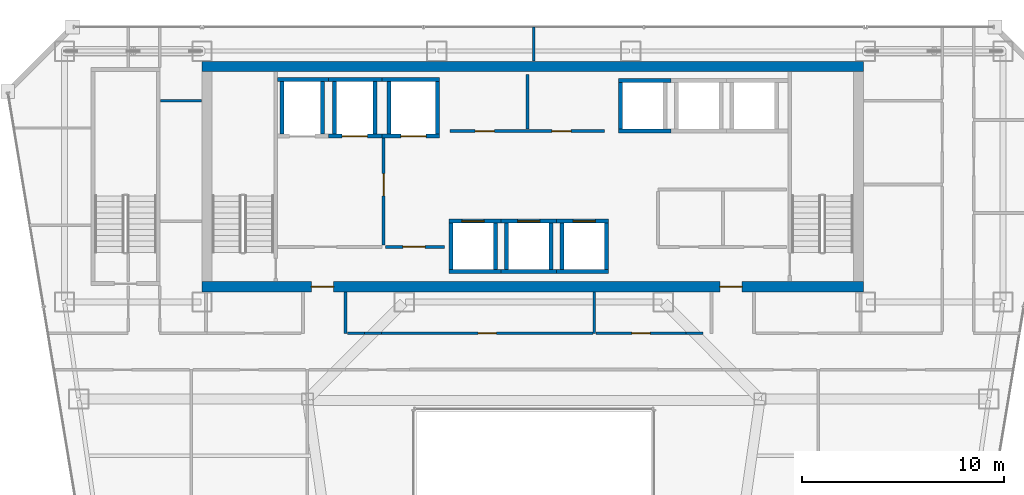
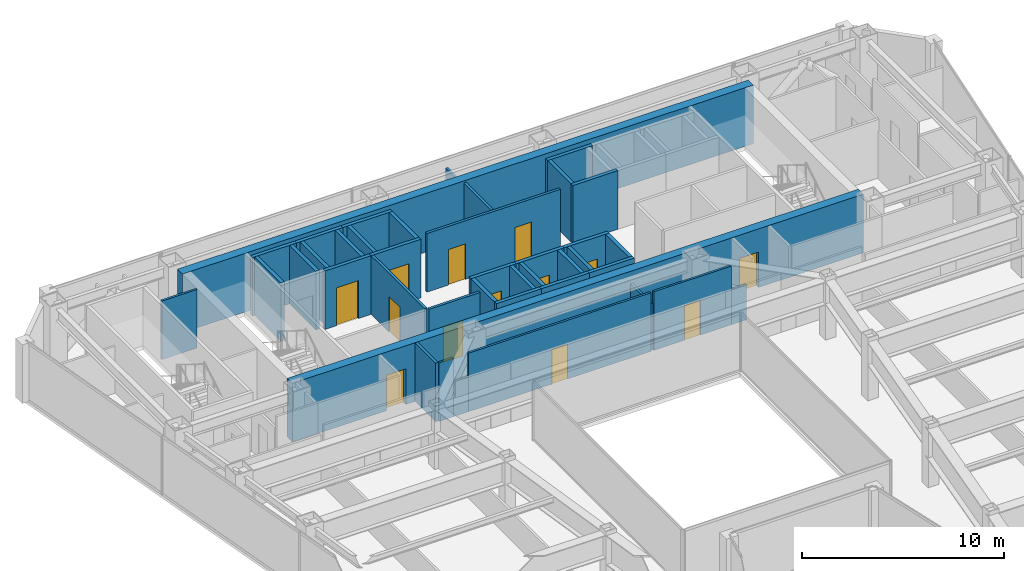
# One storey, part 32 of 37: 41 walls, 13 doors, 13 openings.
"""IFC4 building model written with IfcOpenShell, lengths in metres."""

from ifc_helpers import new_model, si_unit, direction, frame, frame_2d, origin, place, context, subcontext, project, spatial, rectangle, extrude, material, layer, layer_set, type_object, element, fill, save


model = new_model("IFC4")

# Units and contexts
model_context = context("Model", 3, precision=1e-05, world=origin(), true_north=direction((0.0, 1.0)))
body_context = subcontext(model_context, "Body", "Model", "MODEL_VIEW")
ifc_project = project(units=[si_unit("LENGTHUNIT", "METRE"), si_unit("AREAUNIT", "SQUARE_METRE"), si_unit("VOLUMEUNIT", "CUBIC_METRE"), si_unit("PLANEANGLEUNIT", "RADIAN"), si_unit("MASSUNIT", "GRAM", prefix="KILO")], contexts=[model_context])

# Site, building, storey
site_placement = place(None, origin())
site = spatial("IfcSite", under=ifc_project, at=site_placement, CompositionType="ELEMENT")
building_placement = place(site_placement, origin())
building = spatial("IfcBuilding", under=site, at=building_placement, Name="Saevonmaru Cultural Tower", CompositionType="ELEMENT")
storey_placement = place(building_placement, frame((0.0, 0.0, 163.800048828125)))
storey = spatial("IfcBuildingStorey", under=building, at=storey_placement, Name="L36", CompositionType="ELEMENT", Elevation=163.800048828125)

# Wall, openings, doors
ifc_material_1 = material(Name="Concrete C60/75", Category="concrete")
ifc_layer_1 = layer(ifc_material_1, 0.5, Name="Concrete C60/75")
ifc_layer_set_1 = layer_set([ifc_layer_1], Name="Concrete C60/75")
wall_type_1 = type_object("IfcWallType", Name="WL-CORE-500", PredefinedType="SHEAR", material=ifc_layer_set_1)
wall_1_placement = place(storey_placement, frame((13.60009765625, 43.14990234375, 0.0), z_axis=(0.0, 0.0, 1.0), x_axis=(1.0, 0.0, 0.0)))
wall_1 = element("IfcWall", 1, at=wall_1_placement, inside=storey, type_object=wall_type_1, Name="L36 Tower RC core shear wall S", PredefinedType="SHEAR", context=body_context, shape_type="SweptSolid", body=[
    extrude(rectangle(XDim=32.699951171875, YDim=0.5, at=frame_2d((16.35009765625, 0.0))), origin(), (0.0, 0.0, 1.0), 3.550048828125),
])
opening_1_placement = place(wall_1_placement, frame((5.39990234375, 0.0, 0.0)))
opening_1 = element("IfcOpeningElement", 2, at=opening_1_placement, cuts=wall_1, Name="Opening FD-2", PredefinedType="OPENING", context=body_context, shape_type="SweptSolid", body=[
    extrude(rectangle(XDim=1.10009765625, YDim=2.14990234375, at=frame_2d((0.550048828125, 1.074951171875))), frame((0.0, 0.260009765625, 0.0), z_axis=(0.0, -1.0, 0.0), x_axis=(1.0, 0.0, 0.0)), (0.0, 0.0, 1.0), 0.52001953125),
])
opening_2_placement = place(wall_1_placement, frame((25.60009765625, 0.0, 0.0)))
opening_2 = element("IfcOpeningElement", 3, at=opening_2_placement, cuts=wall_1, Name="Opening FD-2", PredefinedType="OPENING", context=body_context, shape_type="SweptSolid", body=[
    extrude(rectangle(XDim=1.10009765625, YDim=2.14990234375, at=frame_2d((0.550048828125, 1.074951171875))), frame((0.0, 0.260009765625, 0.0), z_axis=(0.0, -1.0, 0.0), x_axis=(1.0, 0.0, 0.0)), (0.0, 0.0, 1.0), 0.52001953125),
])
ifc_material_2 = material(Name="Satin Bronze Anodised Aluminium", Category="aluminium")
door_type_1 = type_object("IfcDoorType", Name="DR-FD60-1100", OperationType="SINGLE_SWING_LEFT", PredefinedType="DOOR", material=ifc_material_2)
door_1_placement = place(opening_1_placement, origin())
door_1 = element("IfcDoor", 4, at=door_1_placement, inside=storey, type_object=door_type_1, Name="L36 Core West Lobby Fire Door", OperationType="SINGLE_SWING_LEFT", OverallHeight=2.14990234375, OverallWidth=1.10009765625, PredefinedType="DOOR", context=body_context, shape_type="SweptSolid", body=[
    extrude(rectangle(XDim=1.10009765625, YDim=2.14990234375, at=frame_2d((0.550048828125, 1.074951171875))), frame((0.0, 0.02490234375, 0.0), z_axis=(0.0, -1.0, 0.0), x_axis=(1.0, 0.0, 0.0)), (0.0, 0.0, 1.0), 0.050048828125),
])
fill(opening_1, door_1)
door_2_placement = place(opening_2_placement, origin())
door_2 = element("IfcDoor", 5, at=door_2_placement, inside=storey, type_object=door_type_1, Name="L36 Core East Lobby Fire Door", OperationType="SINGLE_SWING_LEFT", OverallHeight=2.14990234375, OverallWidth=1.10009765625, PredefinedType="DOOR", context=body_context, shape_type="SweptSolid", body=[
    extrude(rectangle(XDim=1.10009765625, YDim=2.14990234375, at=frame_2d((0.550048828125, 1.074951171875))), frame((0.0, 0.02490234375, 0.0), z_axis=(0.0, -1.0, 0.0), x_axis=(1.0, 0.0, 0.0)), (0.0, 0.0, 1.0), 0.050048828125),
])
fill(opening_2, door_2)

# Wall
wall_2_placement = place(storey_placement, frame((13.60009765625, 54.050048828125, 0.0), z_axis=(0.0, 0.0, 1.0), x_axis=(1.0, 0.0, 0.0)))
element("IfcWall", 6, at=wall_2_placement, inside=storey, type_object=wall_type_1, Name="L36 Tower RC core shear wall N", PredefinedType="SHEAR", context=body_context, shape_type="SweptSolid", body=[
    extrude(rectangle(XDim=32.699951171875, YDim=0.5, at=frame_2d((16.35009765625, 0.0))), origin(), (0.0, 0.0, 1.0), 3.550048828125),
])

# Wall, opening, door
ifc_material_3 = material(Name="Gypsum Fireboard Partition", Category="gypsum")
ifc_layer_2 = layer(ifc_material_3, 0.14990234375, Name="Gypsum Fireboard Partition")
ifc_layer_set_2 = layer_set([ifc_layer_2], Name="Gypsum Fireboard Partition")
wall_type_2 = type_object("IfcWallType", Name="WL-CORE-PART-150", PredefinedType="PARTITIONING", material=ifc_layer_set_2)
wall_3_placement = place(storey_placement, frame((22.580078125, 50.550048828125, 0.0), z_axis=(0.0, 0.0, 1.0), x_axis=(0.0, -1.0, 0.0)))
wall_3 = element("IfcWall", 7, at=wall_3_placement, inside=storey, type_object=wall_type_2, Name="L36 Firefighting Lift Lobby East Wall", PredefinedType="PARTITIONING", context=body_context, shape_type="SweptSolid", body=[
    extrude(rectangle(XDim=5.330078125, YDim=0.14990234375, at=frame_2d((2.6650390625, 0.0))), origin(), (0.0, 0.0, 1.0), 3.550048828125),
])
opening_3_placement = place(wall_3_placement, frame((1.800048828125, 0.0, 0.0)))
opening_3 = element("IfcOpeningElement", 8, at=opening_3_placement, cuts=wall_3, Name="Opening FD-2", PredefinedType="OPENING", context=body_context, shape_type="SweptSolid", body=[
    extrude(rectangle(XDim=1.10009765625, YDim=2.14990234375, at=frame_2d((0.550048828125, 1.074951171875))), frame((0.0, 0.0849609375, 0.0), z_axis=(0.0, -1.0, 0.0), x_axis=(1.0, 0.0, 0.0)), (0.0, 0.0, 1.0), 0.169921875),
])
door_3_placement = place(opening_3_placement, origin())
door_3 = element("IfcDoor", 9, at=door_3_placement, inside=storey, type_object=door_type_1, Name="L36 Firefighting Lift Lobby East Door", OperationType="SINGLE_SWING_LEFT", OverallHeight=2.14990234375, OverallWidth=1.10009765625, PredefinedType="DOOR", context=body_context, shape_type="SweptSolid", body=[
    extrude(rectangle(XDim=1.10009765625, YDim=2.14990234375, at=frame_2d((0.550048828125, 1.074951171875))), frame((0.0, 0.02490234375, 0.0), z_axis=(0.0, -1.0, 0.0), x_axis=(1.0, 0.0, 0.0)), (0.0, 0.0, 1.0), 0.050048828125),
])
fill(opening_3, door_3)

wall_4_placement = place(storey_placement, frame((22.679931640625, 45.1201171875, 0.0), z_axis=(0.0, 0.0, 1.0), x_axis=(1.0, 0.0, 0.0)))
wall_4 = element("IfcWall", 10, at=wall_4_placement, inside=storey, type_object=wall_type_2, Name="L36 Service Lift Vestibule Wall", PredefinedType="PARTITIONING", context=body_context, shape_type="SweptSolid", body=[
    extrude(rectangle(XDim=2.920166015625, YDim=0.14990234375, at=frame_2d((1.4599609375, 0.0))), origin(), (0.0, 0.0, 1.0), 3.550048828125),
])
opening_4_placement = place(wall_4_placement, frame((0.85009765625, 0.0, 0.0)))
opening_4 = element("IfcOpeningElement", 11, at=opening_4_placement, cuts=wall_4, Name="Opening FD-2", PredefinedType="OPENING", context=body_context, shape_type="SweptSolid", body=[
    extrude(rectangle(XDim=1.10009765625, YDim=2.14990234375, at=frame_2d((0.550048828125, 1.074951171875))), frame((0.0, 0.0849609375, 0.0), z_axis=(0.0, -1.0, 0.0), x_axis=(1.0, 0.0, 0.0)), (0.0, 0.0, 1.0), 0.169921875),
])
door_4_placement = place(opening_4_placement, origin())
door_4 = element("IfcDoor", 12, at=door_4_placement, inside=storey, type_object=door_type_1, Name="L36 Service Lift Vestibule Door", OperationType="SINGLE_SWING_LEFT", OverallHeight=2.14990234375, OverallWidth=1.10009765625, PredefinedType="DOOR", context=body_context, shape_type="SweptSolid", body=[
    extrude(rectangle(XDim=1.10009765625, YDim=2.14990234375, at=frame_2d((0.550048828125, 1.074951171875))), frame((0.0, 0.02490234375, 0.0), z_axis=(0.0, -1.0, 0.0), x_axis=(1.0, 0.0, 0.0)), (0.0, 0.0, 1.0), 0.050048828125),
])
fill(opening_4, door_4)

# Wall, openings, doors
wall_5_placement = place(storey_placement, frame((25.85009765625, 50.85009765625, 0.0), z_axis=(0.0, 0.0, 1.0), x_axis=(1.0, 0.0, 0.0)))
wall_5 = element("IfcWall", 13, at=wall_5_placement, inside=storey, type_object=wall_type_2, Name="L36 Reclaimed Core Room South Wall", PredefinedType="PARTITIONING", context=body_context, shape_type="SweptSolid", body=[
    extrude(rectangle(XDim=7.64990234375, YDim=0.14990234375, at=frame_2d((3.824951171875, 0.0))), origin(), (0.0, 0.0, 1.0), 3.550048828125),
])
opening_5_placement = place(wall_5_placement, frame((1.25, 0.0, 0.0)))
opening_5 = element("IfcOpeningElement", 14, at=opening_5_placement, cuts=wall_5, Name="Opening FD-4", PredefinedType="OPENING", context=body_context, shape_type="SweptSolid", body=[
    extrude(rectangle(XDim=0.949951171875, YDim=2.14990234375, at=frame_2d((0.47509765625, 1.074951171875))), frame((0.0, 0.0849609375, 0.0), z_axis=(0.0, -1.0, 0.0), x_axis=(1.0, 0.0, 0.0)), (0.0, 0.0, 1.0), 0.169921875),
])
opening_6_placement = place(wall_5_placement, frame((5.050048828125, 0.0, 0.0)))
opening_6 = element("IfcOpeningElement", 15, at=opening_6_placement, cuts=wall_5, Name="Opening FD-4", PredefinedType="OPENING", context=body_context, shape_type="SweptSolid", body=[
    extrude(rectangle(XDim=0.949951171875, YDim=2.14990234375, at=frame_2d((0.47509765625, 1.074951171875))), frame((0.0, 0.0849609375, 0.0), z_axis=(0.0, -1.0, 0.0), x_axis=(1.0, 0.0, 0.0)), (0.0, 0.0, 1.0), 0.169921875),
])
door_type_2 = type_object("IfcDoorType", Name="DR-FD60-950", OperationType="SINGLE_SWING_LEFT", PredefinedType="DOOR", material=ifc_material_2)
door_5_placement = place(opening_5_placement, origin())
door_5 = element("IfcDoor", 16, at=door_5_placement, inside=storey, type_object=door_type_2, Name="L36 Reclaimed Archive Vault Door", OperationType="SINGLE_SWING_LEFT", OverallHeight=2.14990234375, OverallWidth=0.949951171875, PredefinedType="DOOR", context=body_context, shape_type="SweptSolid", body=[
    extrude(rectangle(XDim=0.949951171875, YDim=2.14990234375, at=frame_2d((0.47509765625, 1.074951171875))), frame((0.0, 0.02490234375, 0.0), z_axis=(0.0, -1.0, 0.0), x_axis=(1.0, 0.0, 0.0)), (0.0, 0.0, 1.0), 0.050048828125),
])
fill(opening_5, door_5)
door_6_placement = place(opening_6_placement, origin())
door_6 = element("IfcDoor", 17, at=door_6_placement, inside=storey, type_object=door_type_2, Name="L36 Reclaimed Conservation Storage Door", OperationType="SINGLE_SWING_LEFT", OverallHeight=2.14990234375, OverallWidth=0.949951171875, PredefinedType="DOOR", context=body_context, shape_type="SweptSolid", body=[
    extrude(rectangle(XDim=0.949951171875, YDim=2.14990234375, at=frame_2d((0.47509765625, 1.074951171875))), frame((0.0, 0.02490234375, 0.0), z_axis=(0.0, -1.0, 0.0), x_axis=(1.0, 0.0, 0.0)), (0.0, 0.0, 1.0), 0.050048828125),
])
fill(opening_6, door_6)

# Walls
wall_6_placement = place(storey_placement, frame((29.699951171875, 50.949951171875, 0.0), z_axis=(0.0, 0.0, 1.0), x_axis=(0.0, 1.0, 0.0)))
element("IfcWall", 18, at=wall_6_placement, inside=storey, type_object=wall_type_2, Name="L36 Reclaimed Vault Split", PredefinedType="PARTITIONING", context=body_context, shape_type="SweptSolid", body=[
    extrude(rectangle(XDim=2.699951171875, YDim=0.14990234375, at=frame_2d((1.35009765625, 0.0))), origin(), (0.0, 0.0, 1.0), 3.550048828125),
])
ifc_layer_3 = layer(ifc_material_3, 0.14990234375, Name="Gypsum Fireboard Partition")
ifc_layer_set_3 = layer_set([ifc_layer_3], Name="Gypsum Fireboard Partition")
wall_type_3 = type_object("IfcWallType", Name="WL-PART-FIRE-150", PredefinedType="PARTITIONING", material=ifc_layer_set_3)
wall_7_placement = place(storey_placement, frame((20.699951171875, 40.85009765625, 0.0), z_axis=(0.0, 0.0, 1.0), x_axis=(0.0, 1.0, 0.0)))
element("IfcWall", 19, at=wall_7_placement, inside=storey, type_object=wall_type_3, Name="L36 Core Portal Side Wall W2", PredefinedType="PARTITIONING", context=body_context, shape_type="SweptSolid", body=[
    extrude(rectangle(XDim=2.02978515625, YDim=0.14990234375, at=frame_2d((1.014892578125, 0.0))), origin(), (0.0, 0.0, 1.0), 3.550048828125),
])
ifc_layer_4 = layer(ifc_material_3, 0.1201171875, Name="Gypsum Fireboard Partition")
ifc_layer_set_4 = layer_set([ifc_layer_4], Name="Gypsum Fireboard Partition")
wall_type_4 = type_object("IfcWallType", Name="WL-PART-GYP-120", PredefinedType="PARTITIONING", material=ifc_layer_set_4)
wall_8_placement = place(storey_placement, frame((11.550048828125, 52.35009765625, 0.0), z_axis=(0.0, 0.0, 1.0), x_axis=(1.0, 0.0, 0.0)))
element("IfcWall", 20, at=wall_8_placement, inside=storey, type_object=wall_type_4, Name="L36 North-West Panorama South Wall", PredefinedType="PARTITIONING", context=body_context, shape_type="SweptSolid", body=[
    extrude(rectangle(XDim=2.030029296875, YDim=0.1201171875, at=frame_2d((1.01513671875, 0.0))), origin(), (0.0, 0.0, 1.0), 3.550048828125),
])
wall_9_placement = place(storey_placement, frame((30.0, 54.320068359375, 0.0), z_axis=(0.0, 0.0, 1.0), x_axis=(0.0, 1.0, 0.0)))
element("IfcWall", 21, at=wall_9_placement, inside=storey, type_object=wall_type_4, Name="L36 North Panorama Center Split", PredefinedType="PARTITIONING", context=body_context, shape_type="SweptSolid", body=[
    extrude(rectangle(XDim=1.675048828125, YDim=0.1201171875, at=frame_2d((0.83740234375, 0.0))), origin(), (0.0, 0.0, 1.0), 2.93505859375),
])
wall_10_placement = place(storey_placement, frame((33.0, 40.85009765625, 0.0), z_axis=(0.0, 0.0, 1.0), x_axis=(0.0, 1.0, 0.0)))
element("IfcWall", 22, at=wall_10_placement, inside=storey, type_object=wall_type_4, Name="L36 Spine Alcove Split", PredefinedType="PARTITIONING", context=body_context, shape_type="SweptSolid", body=[
    extrude(rectangle(XDim=2.02978515625, YDim=0.1201171875, at=frame_2d((1.014892578125, 0.0))), origin(), (0.0, 0.0, 1.0), 2.8349609375),
])

# Wall, opening, door
wall_11_placement = place(storey_placement, frame((22.483642578125, 40.85009765625, 0.0), z_axis=(0.0, 0.0, 1.0), x_axis=(1.0, 0.0, 0.0)))
wall_11 = element("IfcWall", 23, at=wall_11_placement, inside=storey, type_object=wall_type_4, Name="L36 Translation Research Office Corridor Wall", PredefinedType="PARTITIONING", context=body_context, shape_type="SweptSolid", body=[
    extrude(rectangle(XDim=10.436279296875, YDim=0.1201171875, at=frame_2d((5.21826171875, 0.0))), origin(), (0.0, 0.0, 1.0), 3.550048828125),
])
opening_7_placement = place(wall_11_placement, frame((4.76806640625, 0.0, 0.0)))
opening_7 = element("IfcOpeningElement", 24, at=opening_7_placement, cuts=wall_11, Name="Opening ID-2", PredefinedType="OPENING", context=body_context, shape_type="SweptSolid", body=[
    extrude(rectangle(XDim=0.89990234375, YDim=2.10009765625, at=frame_2d((0.449951171875, 1.050048828125))), frame((0.0, 0.070068359375, 0.0), z_axis=(0.0, -1.0, 0.0), x_axis=(1.0, 0.0, 0.0)), (0.0, 0.0, 1.0), 0.14013671875),
])
ifc_material_4 = material(Name="Acoustic Stained Oak Timber", Category="wood")
door_type_3 = type_object("IfcDoorType", Name="DR-INT-900", OperationType="SINGLE_SWING_RIGHT", PredefinedType="DOOR", material=ifc_material_4)
door_7_placement = place(opening_7_placement, origin())
door_7 = element("IfcDoor", 25, at=door_7_placement, inside=storey, type_object=door_type_3, Name="L36 Translation Research Office Door", OperationType="SINGLE_SWING_LEFT", OverallHeight=2.10009765625, OverallWidth=0.89990234375, PredefinedType="DOOR", context=body_context, shape_type="SweptSolid", body=[
    extrude(rectangle(XDim=0.89990234375, YDim=2.10009765625, at=frame_2d((0.449951171875, 1.050048828125))), frame((0.0, 0.02490234375, 0.0), z_axis=(0.0, -1.0, 0.0), x_axis=(1.0, 0.0, 0.0)), (0.0, 0.0, 1.0), 0.050048828125),
])
fill(opening_7, door_7)

# Walls
wall_12_placement = place(storey_placement, frame((20.794921875, 40.85009765625, 0.0), z_axis=(0.0, 0.0, 1.0), x_axis=(1.0, 0.0, 0.0)))
element("IfcWall", 26, at=wall_12_placement, inside=storey, type_object=wall_type_4, Name="L36 Translation Research Office Corridor Wall (2)", PredefinedType="PARTITIONING", context=body_context, shape_type="SweptSolid", body=[
    extrude(rectangle(XDim=0.82666015625, YDim=0.1201171875, at=frame_2d((0.413330078125, 0.0))), origin(), (0.0, 0.0, 1.0), 3.550048828125),
])
wall_13_placement = place(storey_placement, frame((21.62158203125, 40.85009765625, 0.0), z_axis=(0.0, 0.0, 1.0), x_axis=(1.0, 0.0, 0.0)))
element("IfcWall", 27, at=wall_13_placement, inside=storey, type_object=wall_type_4, Name="L36 Translation Research Office Corridor Wall (3)", PredefinedType="PARTITIONING", context=body_context, shape_type="SweptSolid", body=[
    extrude(rectangle(XDim=0.862060546875, YDim=0.1201171875, at=frame_2d((0.43115234375, 0.0))), origin(), (0.0, 0.0, 1.0), 2.135009765625),
])

# Wall, opening, door
wall_14_placement = place(storey_placement, frame((33.080078125, 40.85009765625, 0.0), z_axis=(0.0, 0.0, 1.0), x_axis=(1.0, 0.0, 0.0)))
wall_14 = element("IfcWall", 28, at=wall_14_placement, inside=storey, type_object=wall_type_4, Name="L36 Printmaking Workshop Classroom Corridor Wall", PredefinedType="PARTITIONING", context=body_context, shape_type="SweptSolid", body=[
    extrude(rectangle(XDim=4.436279296875, YDim=0.1201171875, at=frame_2d((2.21826171875, 0.0))), origin(), (0.0, 0.0, 1.0), 3.550048828125),
])
opening_8_placement = place(wall_14_placement, frame((1.76806640625, 0.0, 0.0)))
opening_8 = element("IfcOpeningElement", 29, at=opening_8_placement, cuts=wall_14, Name="Opening ID-2", PredefinedType="OPENING", context=body_context, shape_type="SweptSolid", body=[
    extrude(rectangle(XDim=0.89990234375, YDim=2.10009765625, at=frame_2d((0.449951171875, 1.050048828125))), frame((0.0, 0.070068359375, 0.0), z_axis=(0.0, -1.0, 0.0), x_axis=(1.0, 0.0, 0.0)), (0.0, 0.0, 1.0), 0.14013671875),
])
door_8_placement = place(opening_8_placement, origin())
door_8 = element("IfcDoor", 30, at=door_8_placement, inside=storey, type_object=door_type_3, Name="L36 Printmaking Workshop Classroom Door", OperationType="SINGLE_SWING_RIGHT", OverallHeight=2.10009765625, OverallWidth=0.89990234375, PredefinedType="DOOR", context=body_context, shape_type="SweptSolid", body=[
    extrude(rectangle(XDim=0.89990234375, YDim=2.10009765625, at=frame_2d((0.449951171875, 1.050048828125))), frame((0.0, 0.02490234375, 0.0), z_axis=(0.0, -1.0, 0.0), x_axis=(1.0, 0.0, 0.0)), (0.0, 0.0, 1.0), 0.050048828125),
])
fill(opening_8, door_8)

# Walls
wall_15_placement = place(storey_placement, frame((37.516357421875, 40.85009765625, 0.0), z_axis=(0.0, 0.0, 1.0), x_axis=(1.0, 0.0, 0.0)))
element("IfcWall", 31, at=wall_15_placement, inside=storey, type_object=wall_type_4, Name="L36 Printmaking Workshop Classroom Corridor Wall (2)", PredefinedType="PARTITIONING", context=body_context, shape_type="SweptSolid", body=[
    extrude(rectangle(XDim=0.862060546875, YDim=0.1201171875, at=frame_2d((0.43115234375, 0.0))), origin(), (0.0, 0.0, 1.0), 2.135009765625),
])
ifc_material_5 = material(Name="Concrete C40/50", Category="concrete")
ifc_layer_5 = layer(ifc_material_5, 0.199951171875, Name="Concrete C40/50")
ifc_layer_set_5 = layer_set([ifc_layer_5], Name="Concrete C40/50")
wall_type_5 = type_object("IfcWallType", Name="WL-SHAFT-200", PredefinedType="SHEAR", material=ifc_layer_set_5)
wall_16_placement = place(storey_placement, frame((17.330078125, 53.39990234375, 0.0), z_axis=(0.0, 0.0, 1.0), x_axis=(1.0, 0.0, 0.0)))
element("IfcWall", 32, at=wall_16_placement, inside=storey, type_object=wall_type_5, Name="L36 Lift FFL-1 Hoistway Wall N", PredefinedType="SHEAR", context=body_context, shape_type="SweptSolid", body=[
    extrude(rectangle(XDim=2.52001953125, YDim=0.199951171875, at=frame_2d((1.260009765625, 0.0))), origin(), (0.0, 0.0, 1.0), 3.550048828125),
])
for number, where, z_axis, x_axis, name in (
    (33, (17.550048828125, 50.699951171875, 0.0), (0.0, 0.0, 1.0), (0.0, 1.0, 0.0), "L36 Lift FFL-1 Hoistway Wall W"),
    (34, (19.550048828125, 50.699951171875, 0.0), (0.0, 0.0, 1.0), (0.0, 1.0, 0.0), "L36 Lift FFL-1 Hoistway Wall E"),
):
    element("IfcWall", number, at=place(storey_placement, frame(where, z_axis=z_axis, x_axis=x_axis)), inside=storey, type_object=wall_type_5, Name=name, PredefinedType="SHEAR", context=body_context, shape_type="SweptSolid", body=[
        extrude(rectangle(XDim=2.60009765625, YDim=0.199951171875, at=frame_2d((1.300048828125, 0.0))), origin(), (0.0, 0.0, 1.0), 3.550048828125),
    ])

# Wall, opening, door
wall_17_placement = place(storey_placement, frame((19.85009765625, 50.60009765625, 0.0), z_axis=(0.0, 0.0, 1.0), x_axis=(1.0, 0.0, 0.0)))
wall_17 = element("IfcWall", 35, at=wall_17_placement, inside=storey, type_object=wall_type_5, Name="L36 Lift FFL-2 Hoistway Wall S", PredefinedType="SHEAR", context=body_context, shape_type="SweptSolid", body=[
    extrude(rectangle(XDim=2.64990234375, YDim=0.199951171875, at=frame_2d((1.324951171875, 0.0))), origin(), (0.0, 0.0, 1.0), 3.550048828125),
])
opening_9_placement = place(wall_17_placement, frame((0.675048828125, 0.0, 0.0)))
opening_9 = element("IfcOpeningElement", 36, at=opening_9_placement, cuts=wall_17, Name="Opening LD-2", PredefinedType="OPENING", context=body_context, shape_type="SweptSolid", body=[
    extrude(rectangle(XDim=1.25, YDim=2.300048828125, at=frame_2d((0.625, 1.14990234375))), frame((0.0, 0.10986328125, 0.0), z_axis=(0.0, -1.0, 0.0), x_axis=(1.0, 0.0, 0.0)), (0.0, 0.0, 1.0), 0.219970703125),
])
ifc_material_6 = material(Name="Stainless Steel 316", Category="steel")
door_type_4 = type_object("IfcDoorType", Name="DR-LIFT-1250", OperationType="SLIDING_TO_LEFT", PredefinedType="DOOR", material=ifc_material_6)
door_9_placement = place(opening_9_placement, origin())
door_9 = element("IfcDoor", 37, at=door_9_placement, inside=storey, type_object=door_type_4, Name="L36 Lift FFL-2 Sliding Landing Door", OperationType="SLIDING_TO_LEFT", OverallHeight=2.300048828125, OverallWidth=1.25, PredefinedType="DOOR", context=body_context, shape_type="SweptSolid", body=[
    extrude(rectangle(XDim=1.25, YDim=2.300048828125, at=frame_2d((0.625, 1.14990234375))), frame((0.0, 0.02490234375, 0.0), z_axis=(0.0, -1.0, 0.0), x_axis=(1.0, 0.0, 0.0)), (0.0, 0.0, 1.0), 0.050048828125),
])
fill(opening_9, door_9)

# Walls
wall_18_placement = place(storey_placement, frame((19.85009765625, 53.39990234375, 0.0), z_axis=(0.0, 0.0, 1.0), x_axis=(1.0, 0.0, 0.0)))
element("IfcWall", 38, at=wall_18_placement, inside=storey, type_object=wall_type_5, Name="L36 Lift FFL-2 Hoistway Wall N", PredefinedType="SHEAR", context=body_context, shape_type="SweptSolid", body=[
    extrude(rectangle(XDim=2.64990234375, YDim=0.199951171875, at=frame_2d((1.324951171875, 0.0))), origin(), (0.0, 0.0, 1.0), 3.550048828125),
])
for number, where, z_axis, x_axis, name in (
    (39, (20.14990234375, 50.699951171875, 0.0), (0.0, 0.0, 1.0), (0.0, 1.0, 0.0), "L36 Lift FFL-2 Hoistway Wall W"),
    (40, (22.14990234375, 50.699951171875, 0.0), (0.0, 0.0, 1.0), (0.0, 1.0, 0.0), "L36 Lift FFL-2 Hoistway Wall E"),
):
    element("IfcWall", number, at=place(storey_placement, frame(where, z_axis=z_axis, x_axis=x_axis)), inside=storey, type_object=wall_type_5, Name=name, PredefinedType="SHEAR", context=body_context, shape_type="SweptSolid", body=[
        extrude(rectangle(XDim=2.60009765625, YDim=0.199951171875, at=frame_2d((1.300048828125, 0.0))), origin(), (0.0, 0.0, 1.0), 3.550048828125),
    ])

# Wall, opening, door
wall_19_placement = place(storey_placement, frame((22.5, 50.60009765625, 0.0), z_axis=(0.0, 0.0, 1.0), x_axis=(1.0, 0.0, 0.0)))
wall_19 = element("IfcWall", 41, at=wall_19_placement, inside=storey, type_object=wall_type_5, Name="L36 Lift GL-1 Hoistway Wall S", PredefinedType="SHEAR", context=body_context, shape_type="SweptSolid", body=[
    extrude(rectangle(XDim=2.85009765625, YDim=0.199951171875, at=frame_2d((1.425048828125, 0.0))), origin(), (0.0, 0.0, 1.0), 3.550048828125),
])
opening_10_placement = place(wall_19_placement, frame((0.925048828125, 0.0, 0.0)))
opening_10 = element("IfcOpeningElement", 42, at=opening_10_placement, cuts=wall_19, Name="Opening LD-2", PredefinedType="OPENING", context=body_context, shape_type="SweptSolid", body=[
    extrude(rectangle(XDim=1.25, YDim=2.300048828125, at=frame_2d((0.625, 1.14990234375))), frame((0.0, 0.10986328125, 0.0), z_axis=(0.0, -1.0, 0.0), x_axis=(1.0, 0.0, 0.0)), (0.0, 0.0, 1.0), 0.219970703125),
])
door_10_placement = place(opening_10_placement, origin())
door_10 = element("IfcDoor", 43, at=door_10_placement, inside=storey, type_object=door_type_4, Name="L36 Lift GL-1 Sliding Landing Door", OperationType="SLIDING_TO_LEFT", OverallHeight=2.300048828125, OverallWidth=1.25, PredefinedType="DOOR", context=body_context, shape_type="SweptSolid", body=[
    extrude(rectangle(XDim=1.25, YDim=2.300048828125, at=frame_2d((0.625, 1.14990234375))), frame((0.0, 0.02490234375, 0.0), z_axis=(0.0, -1.0, 0.0), x_axis=(1.0, 0.0, 0.0)), (0.0, 0.0, 1.0), 0.050048828125),
])
fill(opening_10, door_10)

# Walls
wall_20_placement = place(storey_placement, frame((22.5, 53.39990234375, 0.0), z_axis=(0.0, 0.0, 1.0), x_axis=(1.0, 0.0, 0.0)))
element("IfcWall", 44, at=wall_20_placement, inside=storey, type_object=wall_type_5, Name="L36 Lift GL-1 Hoistway Wall N", PredefinedType="SHEAR", context=body_context, shape_type="SweptSolid", body=[
    extrude(rectangle(XDim=2.85009765625, YDim=0.199951171875, at=frame_2d((1.425048828125, 0.0))), origin(), (0.0, 0.0, 1.0), 3.550048828125),
])
for number, where, z_axis, x_axis, name in (
    (45, (22.85009765625, 50.699951171875, 0.0), (0.0, 0.0, 1.0), (0.0, 1.0, 0.0), "L36 Lift GL-1 Hoistway Wall W"),
    (46, (25.25, 50.699951171875, 0.0), (0.0, 0.0, 1.0), (0.0, 1.0, 0.0), "L36 Lift GL-1 Hoistway Wall E"),
):
    element("IfcWall", number, at=place(storey_placement, frame(where, z_axis=z_axis, x_axis=x_axis)), inside=storey, type_object=wall_type_5, Name=name, PredefinedType="SHEAR", context=body_context, shape_type="SweptSolid", body=[
        extrude(rectangle(XDim=2.60009765625, YDim=0.199951171875, at=frame_2d((1.300048828125, 0.0))), origin(), (0.0, 0.0, 1.0), 3.550048828125),
    ])
wall_21_placement = place(storey_placement, frame((25.800048828125, 43.89990234375, 0.0), z_axis=(0.0, 0.0, 1.0), x_axis=(1.0, 0.0, 0.0)))
element("IfcWall", 47, at=wall_21_placement, inside=storey, type_object=wall_type_5, Name="L36 Lift PL-M1 Hoistway Wall S", PredefinedType="SHEAR", context=body_context, shape_type="SweptSolid", body=[
    extrude(rectangle(XDim=2.574951171875, YDim=0.199951171875, at=frame_2d((1.28759765625, 0.0))), origin(), (0.0, 0.0, 1.0), 3.550048828125),
])

# Wall, opening, door
wall_22_placement = place(storey_placement, frame((25.800048828125, 46.39990234375, 0.0), z_axis=(0.0, 0.0, 1.0), x_axis=(1.0, 0.0, 0.0)))
wall_22 = element("IfcWall", 48, at=wall_22_placement, inside=storey, type_object=wall_type_5, Name="L36 Lift PL-M1 Hoistway Wall N", PredefinedType="SHEAR", context=body_context, shape_type="SweptSolid", body=[
    extrude(rectangle(XDim=2.574951171875, YDim=0.199951171875, at=frame_2d((1.28759765625, 0.0))), origin(), (0.0, 0.0, 1.0), 3.550048828125),
])
opening_11_placement = place(wall_22_placement, frame((0.64990234375, 0.0, 0.0)))
opening_11 = element("IfcOpeningElement", 49, at=opening_11_placement, cuts=wall_22, Name="Opening LD-1", PredefinedType="OPENING", context=body_context, shape_type="SweptSolid", body=[
    extrude(rectangle(XDim=1.10009765625, YDim=2.199951171875, at=frame_2d((0.550048828125, 1.10009765625))), frame((0.0, 0.10986328125, 0.0), z_axis=(0.0, -1.0, 0.0), x_axis=(1.0, 0.0, 0.0)), (0.0, 0.0, 1.0), 0.219970703125),
])
ifc_material_7 = material(Name="Satin Bronze Stainless Steel", Category="steel")
door_type_5 = type_object("IfcDoorType", Name="DR-LIFT-1100", OperationType="SLIDING_TO_LEFT", PredefinedType="DOOR", material=ifc_material_7)
door_11_placement = place(opening_11_placement, origin())
door_11 = element("IfcDoor", 50, at=door_11_placement, inside=storey, type_object=door_type_5, Name="L36 Lift PL-M1 Sliding Landing Door", OperationType="SLIDING_TO_LEFT", OverallHeight=2.199951171875, OverallWidth=1.10009765625, PredefinedType="DOOR", context=body_context, shape_type="SweptSolid", body=[
    extrude(rectangle(XDim=1.10009765625, YDim=2.199951171875, at=frame_2d((0.550048828125, 1.10009765625))), frame((0.0, 0.02490234375, 0.0), z_axis=(0.0, -1.0, 0.0), x_axis=(1.0, 0.0, 0.0)), (0.0, 0.0, 1.0), 0.050048828125),
])
fill(opening_11, door_11)

# Walls
for number, where, z_axis, x_axis, name in (
    (51, (25.89990234375, 44.0, 0.0), (0.0, 0.0, 1.0), (0.0, 1.0, 0.0), "L36 Lift PL-M1 Hoistway Wall W"),
    (52, (28.10009765625, 44.0, 0.0), (0.0, 0.0, 1.0), (0.0, 1.0, 0.0), "L36 Lift PL-M1 Hoistway Wall E"),
):
    element("IfcWall", number, at=place(storey_placement, frame(where, z_axis=z_axis, x_axis=x_axis)), inside=storey, type_object=wall_type_5, Name=name, PredefinedType="SHEAR", context=body_context, shape_type="SweptSolid", body=[
        extrude(rectangle(XDim=2.300048828125, YDim=0.199951171875, at=frame_2d((1.14990234375, 0.0))), origin(), (0.0, 0.0, 1.0), 3.550048828125),
    ])
wall_23_placement = place(storey_placement, frame((28.375, 43.89990234375, 0.0), z_axis=(0.0, 0.0, 1.0), x_axis=(1.0, 0.0, 0.0)))
element("IfcWall", 53, at=wall_23_placement, inside=storey, type_object=wall_type_5, Name="L36 Lift PL-M2 Hoistway Wall S", PredefinedType="SHEAR", context=body_context, shape_type="SweptSolid", body=[
    extrude(rectangle(XDim=2.75, YDim=0.199951171875, at=frame_2d((1.375, 0.0))), origin(), (0.0, 0.0, 1.0), 3.550048828125),
])

# Wall, opening, door
wall_24_placement = place(storey_placement, frame((28.375, 46.39990234375, 0.0), z_axis=(0.0, 0.0, 1.0), x_axis=(1.0, 0.0, 0.0)))
wall_24 = element("IfcWall", 54, at=wall_24_placement, inside=storey, type_object=wall_type_5, Name="L36 Lift PL-M2 Hoistway Wall N", PredefinedType="SHEAR", context=body_context, shape_type="SweptSolid", body=[
    extrude(rectangle(XDim=2.75, YDim=0.199951171875, at=frame_2d((1.375, 0.0))), origin(), (0.0, 0.0, 1.0), 3.550048828125),
])
opening_12_placement = place(wall_24_placement, frame((0.824951171875, 0.0, 0.0)))
opening_12 = element("IfcOpeningElement", 55, at=opening_12_placement, cuts=wall_24, Name="Opening LD-1", PredefinedType="OPENING", context=body_context, shape_type="SweptSolid", body=[
    extrude(rectangle(XDim=1.10009765625, YDim=2.199951171875, at=frame_2d((0.550048828125, 1.10009765625))), frame((0.0, 0.10986328125, 0.0), z_axis=(0.0, -1.0, 0.0), x_axis=(1.0, 0.0, 0.0)), (0.0, 0.0, 1.0), 0.219970703125),
])
door_12_placement = place(opening_12_placement, origin())
door_12 = element("IfcDoor", 56, at=door_12_placement, inside=storey, type_object=door_type_5, Name="L36 Lift PL-M2 Sliding Landing Door", OperationType="SLIDING_TO_LEFT", OverallHeight=2.199951171875, OverallWidth=1.10009765625, PredefinedType="DOOR", context=body_context, shape_type="SweptSolid", body=[
    extrude(rectangle(XDim=1.10009765625, YDim=2.199951171875, at=frame_2d((0.550048828125, 1.10009765625))), frame((0.0, 0.02490234375, 0.0), z_axis=(0.0, -1.0, 0.0), x_axis=(1.0, 0.0, 0.0)), (0.0, 0.0, 1.0), 0.050048828125),
])
fill(opening_12, door_12)

# Walls
for number, where, z_axis, x_axis, name in (
    (57, (28.64990234375, 44.0, 0.0), (0.0, 0.0, 1.0), (0.0, 1.0, 0.0), "L36 Lift PL-M2 Hoistway Wall W"),
    (58, (30.85009765625, 44.0, 0.0), (0.0, 0.0, 1.0), (0.0, 1.0, 0.0), "L36 Lift PL-M2 Hoistway Wall E"),
):
    element("IfcWall", number, at=place(storey_placement, frame(where, z_axis=z_axis, x_axis=x_axis)), inside=storey, type_object=wall_type_5, Name=name, PredefinedType="SHEAR", context=body_context, shape_type="SweptSolid", body=[
        extrude(rectangle(XDim=2.300048828125, YDim=0.199951171875, at=frame_2d((1.14990234375, 0.0))), origin(), (0.0, 0.0, 1.0), 3.550048828125),
    ])
wall_25_placement = place(storey_placement, frame((31.125, 43.89990234375, 0.0), z_axis=(0.0, 0.0, 1.0), x_axis=(1.0, 0.0, 0.0)))
element("IfcWall", 59, at=wall_25_placement, inside=storey, type_object=wall_type_5, Name="L36 Lift PL-M3 Hoistway Wall S", PredefinedType="SHEAR", context=body_context, shape_type="SweptSolid", body=[
    extrude(rectangle(XDim=2.574951171875, YDim=0.199951171875, at=frame_2d((1.28759765625, 0.0))), origin(), (0.0, 0.0, 1.0), 3.550048828125),
])

# Wall, opening, door
wall_26_placement = place(storey_placement, frame((31.125, 46.39990234375, 0.0), z_axis=(0.0, 0.0, 1.0), x_axis=(1.0, 0.0, 0.0)))
wall_26 = element("IfcWall", 60, at=wall_26_placement, inside=storey, type_object=wall_type_5, Name="L36 Lift PL-M3 Hoistway Wall N", PredefinedType="SHEAR", context=body_context, shape_type="SweptSolid", body=[
    extrude(rectangle(XDim=2.574951171875, YDim=0.199951171875, at=frame_2d((1.28759765625, 0.0))), origin(), (0.0, 0.0, 1.0), 3.550048828125),
])
opening_13_placement = place(wall_26_placement, frame((0.824951171875, 0.0, 0.0)))
opening_13 = element("IfcOpeningElement", 61, at=opening_13_placement, cuts=wall_26, Name="Opening LD-1", PredefinedType="OPENING", context=body_context, shape_type="SweptSolid", body=[
    extrude(rectangle(XDim=1.10009765625, YDim=2.199951171875, at=frame_2d((0.550048828125, 1.10009765625))), frame((0.0, 0.10986328125, 0.0), z_axis=(0.0, -1.0, 0.0), x_axis=(1.0, 0.0, 0.0)), (0.0, 0.0, 1.0), 0.219970703125),
])
door_13_placement = place(opening_13_placement, origin())
door_13 = element("IfcDoor", 62, at=door_13_placement, inside=storey, type_object=door_type_5, Name="L36 Lift PL-M3 Sliding Landing Door", OperationType="SLIDING_TO_LEFT", OverallHeight=2.199951171875, OverallWidth=1.10009765625, PredefinedType="DOOR", context=body_context, shape_type="SweptSolid", body=[
    extrude(rectangle(XDim=1.10009765625, YDim=2.199951171875, at=frame_2d((0.550048828125, 1.10009765625))), frame((0.0, 0.02490234375, 0.0), z_axis=(0.0, -1.0, 0.0), x_axis=(1.0, 0.0, 0.0)), (0.0, 0.0, 1.0), 0.050048828125),
])
fill(opening_13, door_13)

# Walls
for number, where, z_axis, x_axis, name in (
    (63, (31.39990234375, 44.0, 0.0), (0.0, 0.0, 1.0), (0.0, 1.0, 0.0), "L36 Lift PL-M3 Hoistway Wall W"),
    (64, (33.60009765625, 44.0, 0.0), (0.0, 0.0, 1.0), (0.0, 1.0, 0.0), "L36 Lift PL-M3 Hoistway Wall E"),
):
    element("IfcWall", number, at=place(storey_placement, frame(where, z_axis=z_axis, x_axis=x_axis)), inside=storey, type_object=wall_type_5, Name=name, PredefinedType="SHEAR", context=body_context, shape_type="SweptSolid", body=[
        extrude(rectangle(XDim=2.300048828125, YDim=0.199951171875, at=frame_2d((1.14990234375, 0.0))), origin(), (0.0, 0.0, 1.0), 3.550048828125),
    ])
for number, where, z_axis, x_axis, name in (
    (65, (34.199951171875, 50.85009765625, 0.0), (0.0, 0.0, 1.0), (1.0, 0.0, 0.0), "L36 Lift PL-H1 Hoistway Wall S"),
    (66, (34.199951171875, 53.35009765625, 0.0), (0.0, 0.0, 1.0), (1.0, 0.0, 0.0), "L36 Lift PL-H1 Hoistway Wall N"),
):
    element("IfcWall", number, at=place(storey_placement, frame(where, z_axis=z_axis, x_axis=x_axis)), inside=storey, type_object=wall_type_5, Name=name, PredefinedType="SHEAR", context=body_context, shape_type="SweptSolid", body=[
        extrude(rectangle(XDim=2.574951171875, YDim=0.199951171875, at=frame_2d((1.28759765625, 0.0))), origin(), (0.0, 0.0, 1.0), 3.550048828125),
    ])
wall_27_placement = place(storey_placement, frame((34.300048828125, 50.949951171875, 0.0), z_axis=(0.0, 0.0, 1.0), x_axis=(0.0, 1.0, 0.0)))
element("IfcWall", 67, at=wall_27_placement, inside=storey, type_object=wall_type_5, Name="L36 Lift PL-H1 Hoistway Wall W", PredefinedType="SHEAR", context=body_context, shape_type="SweptSolid", body=[
    extrude(rectangle(XDim=2.300048828125, YDim=0.199951171875, at=frame_2d((1.14990234375, 0.0))), origin(), (0.0, 0.0, 1.0), 3.550048828125),
])

save(model, "model.ifc")
